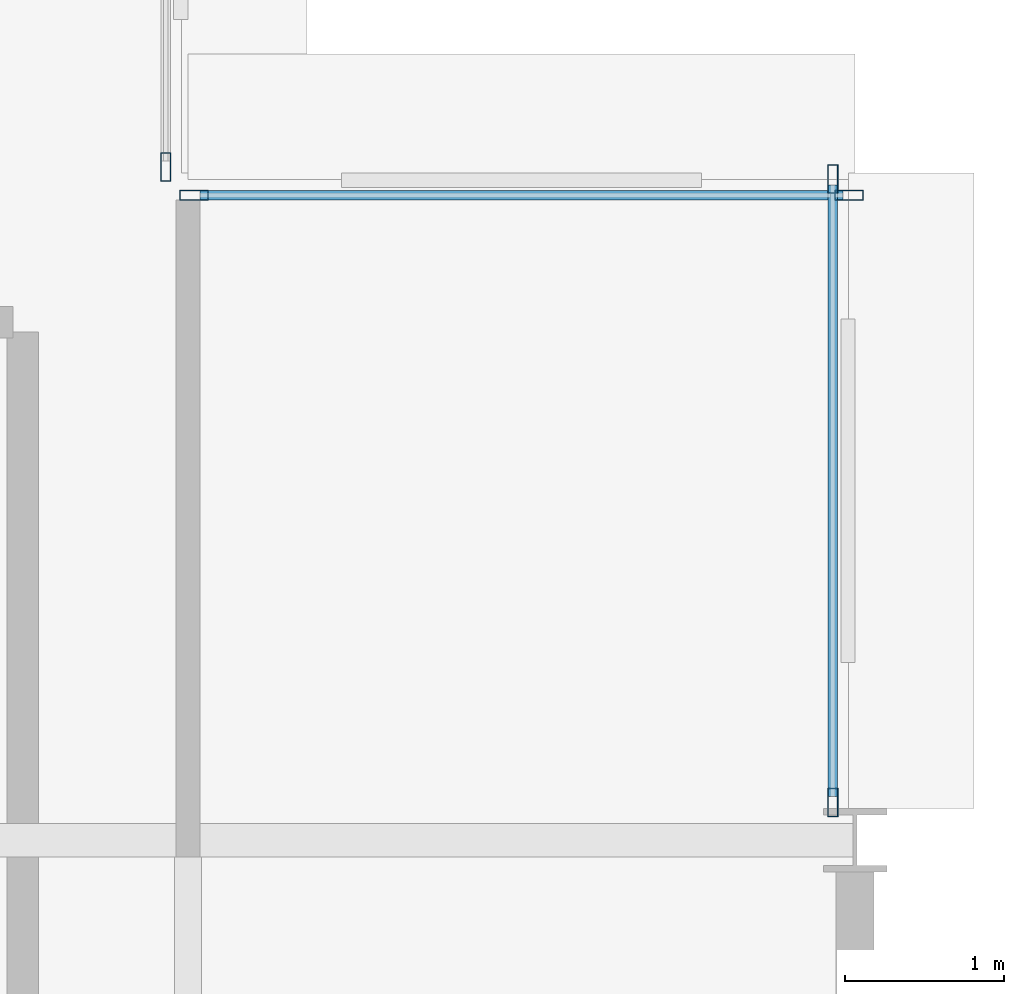
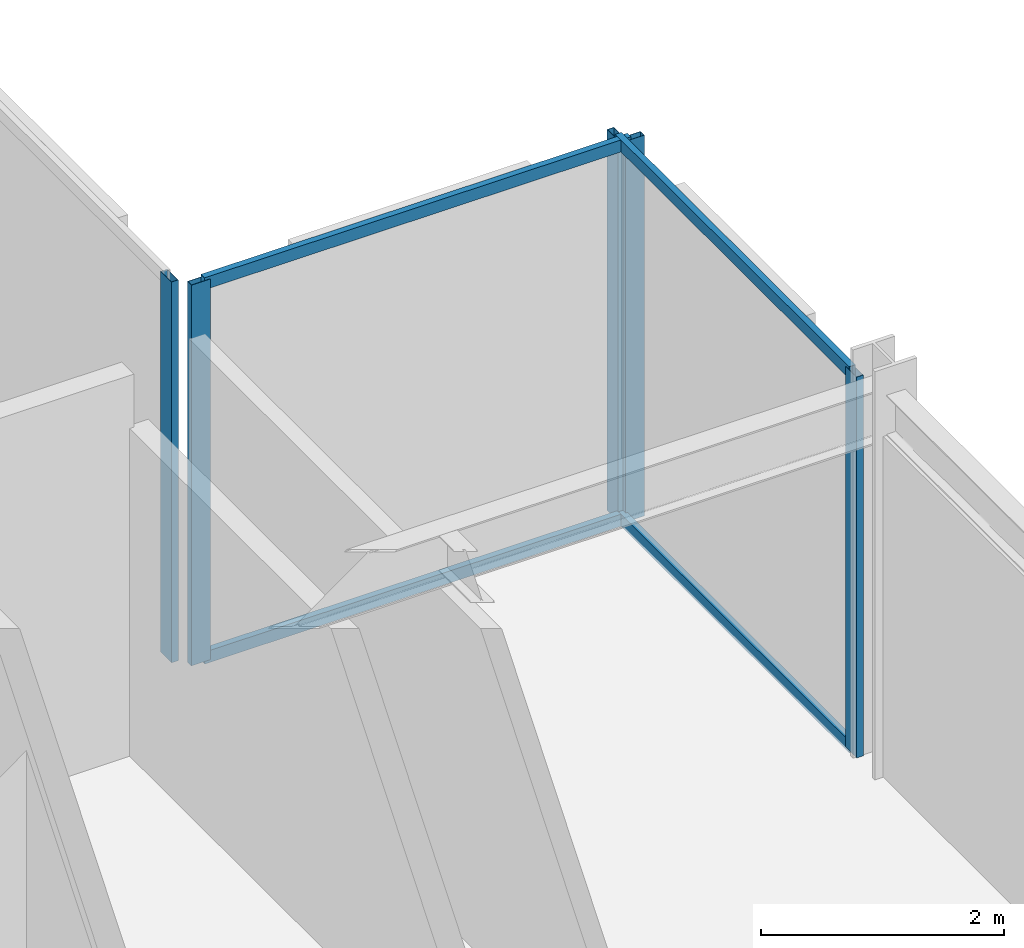
# One storey, part 20 of 30: 9 members, 3 elements without a shape of their own.
"""IFC4 building model written with IfcOpenShell, lengths in metres."""

from ifc_helpers import new_model, si_unit, direction, frame, origin, origin_2d, place, context, subcontext, project, spatial, hollow_rectangle, extrude, material, layer, layer_set, material_profile, profile_set, type_object, element, aggregate, save


model = new_model("IFC4")

# Units and contexts
model_context = context("Model", 3, precision=1e-05, world=origin(), true_north=direction((0.0, 1.0)))
body_context = subcontext(model_context, "Body", "Model", "MODEL_VIEW")
ifc_project = project(units=[si_unit("LENGTHUNIT", "METRE"), si_unit("AREAUNIT", "SQUARE_METRE"), si_unit("VOLUMEUNIT", "CUBIC_METRE"), si_unit("PLANEANGLEUNIT", "RADIAN"), si_unit("MASSUNIT", "GRAM", prefix="KILO")], contexts=[model_context])

# Site, building, storey
site_placement = place(None, origin())
site = spatial("IfcSite", under=ifc_project, at=site_placement, CompositionType="ELEMENT")
building_placement = place(site_placement, origin())
building = spatial("IfcBuilding", under=site, at=building_placement, Name="Nerrivon Quay Data Exchange", CompositionType="ELEMENT")
storey_placement = place(building_placement, frame((0.0, 0.0, 117.199951171875)))
storey = spatial("IfcBuildingStorey", under=building, at=storey_placement, Name="L27", CompositionType="ELEMENT", Elevation=117.199951171875)

# Curtain wall, member
ifc_material = material(Name="Anodised aluminium 6063-T6", Category="aluminium")
ifc_layer = layer(ifc_material, 0.2099609375)
ifc_layer_set = layer_set([ifc_layer], Name="Anodised aluminium 6063-T6")
curtain_wall_type = type_object("IfcCurtainWallType", Name="CW-SYS-02", PredefinedType="NOTDEFINED", material=ifc_layer_set)
curtain_wall_1_placement = place(storey_placement, origin())
curtain_wall_1 = element("IfcCurtainWall", 1, at=curtain_wall_1_placement, inside=storey, type_object=curtain_wall_type, Name="L27 Unitised Curtain Wall 21", PredefinedType="NOTDEFINED")
ifc_material_profile_1 = material_profile(ifc_material, hollow_rectangle(XDim=0.06494140625, YDim=0.179931640625, WallThickness=0.00341796875, at=origin_2d()), Name="ALU-MULL-180x65")
ifc_profile_set_1 = profile_set([ifc_material_profile_1], Name="Anodised aluminium 6063-T6")
member_type_1 = type_object("IfcMemberType", Name="CWM-180x65", PredefinedType="MULLION", material=ifc_profile_set_1)
member_1_placement = place(storey_placement, frame((20.860107421875, 46.237548828125, 0.0), z_axis=(0.0, 0.0, 1.0), x_axis=(1.0, 0.0, 0.0)))
member_1 = element("IfcMember", 2, at=member_1_placement, type_object=member_type_1, Name="CW02 mullion 2", PredefinedType="MULLION", context=body_context, shape_type="SweptSolid", body=[
    extrude(hollow_rectangle(XDim=0.06494140625, YDim=0.179931640625, WallThickness=0.00341796875, at=origin_2d()), origin(), (0.0, 0.0, 1.0), 3.824951171875),
])
aggregate(curtain_wall_1, [member_1])

# Curtain wall, members
curtain_wall_2_placement = place(storey_placement, origin())
curtain_wall_2 = element("IfcCurtainWall", 3, at=curtain_wall_2_placement, inside=storey, type_object=curtain_wall_type, Name="L27 Unitised Curtain Wall 22", PredefinedType="NOTDEFINED")
member_2_placement = place(storey_placement, frame((21.03759765625, 46.06005859375, 0.0), z_axis=(0.0, 0.0, 1.0), x_axis=(0.0, 1.0, 0.0)))
member_2 = element("IfcMember", 4, at=member_2_placement, type_object=member_type_1, Name="CW02 mullion 1", PredefinedType="MULLION", context=body_context, shape_type="SweptSolid", body=[
    extrude(hollow_rectangle(XDim=0.06494140625, YDim=0.179931640625, WallThickness=0.00341796875, at=origin_2d()), origin(), (0.0, 0.0, 1.0), 3.824951171875),
])
member_3_placement = place(storey_placement, frame((25.16259765625, 46.06005859375, 0.0), z_axis=(0.0, 0.0, 1.0), x_axis=(0.0, 1.0, 0.0)))
member_3 = element("IfcMember", 5, at=member_3_placement, type_object=member_type_1, Name="CW02 mullion 2", PredefinedType="MULLION", context=body_context, shape_type="SweptSolid", body=[
    extrude(hollow_rectangle(XDim=0.06494140625, YDim=0.179931640625, WallThickness=0.00341796875, at=origin_2d()), origin(), (0.0, 0.0, 1.0), 3.824951171875),
])

curtain_wall_3_placement = place(storey_placement, origin())
curtain_wall_3 = element("IfcCurtainWall", 6, at=curtain_wall_3_placement, inside=storey, type_object=curtain_wall_type, Name="L27 Unitised Curtain Wall 23", PredefinedType="NOTDEFINED")
member_4_placement = place(storey_placement, frame((25.06005859375, 46.16259765625, 0.0), z_axis=(0.0, 0.0, 1.0), x_axis=(1.0, 0.0, 0.0)))
member_4 = element("IfcMember", 7, at=member_4_placement, type_object=member_type_1, Name="CW02 mullion 1", PredefinedType="MULLION", context=body_context, shape_type="SweptSolid", body=[
    extrude(hollow_rectangle(XDim=0.06494140625, YDim=0.179931640625, WallThickness=0.00341796875, at=origin_2d()), origin(), (0.0, 0.0, 1.0), 3.824951171875),
])
member_5_placement = place(storey_placement, frame((25.06005859375, 42.237548828125, 0.0), z_axis=(0.0, 0.0, 1.0), x_axis=(1.0, 0.0, 0.0)))
member_5 = element("IfcMember", 8, at=member_5_placement, type_object=member_type_1, Name="CW02 mullion 2", PredefinedType="MULLION", context=body_context, shape_type="SweptSolid", body=[
    extrude(hollow_rectangle(XDim=0.06494140625, YDim=0.179931640625, WallThickness=0.00341796875, at=origin_2d()), origin(), (0.0, 0.0, 1.0), 3.824951171875),
])

# Member
ifc_material_profile_2 = material_profile(ifc_material, hollow_rectangle(XDim=0.06005859375, YDim=0.1201171875, WallThickness=0.003173828125, at=origin_2d()), Name="ALU-TRAN-120x60")
ifc_profile_set_2 = profile_set([ifc_material_profile_2], Name="Anodised aluminium 6063-T6")
member_type_2 = type_object("IfcMemberType", Name="CWT-120x60", PredefinedType="USERDEFINED", material=ifc_profile_set_2)
member_6_placement = place(storey_placement, frame((21.074951171875, 46.06005859375, 0.032470703125), z_axis=(1.0, 0.0, 0.0), x_axis=(0.0, 1.0, 0.0)))
member_6 = element("IfcMember", 9, at=member_6_placement, type_object=member_type_2, Name="CW02 transom 1.1", ObjectType="TRANSOM", PredefinedType="USERDEFINED", context=body_context, shape_type="SweptSolid", body=[
    extrude(hollow_rectangle(XDim=0.06005859375, YDim=0.1201171875, WallThickness=0.003173828125, at=origin_2d()), origin(), (0.0, 0.0, 1.0), 4.050048828125),
])

member_7_placement = place(storey_placement, frame((21.074951171875, 46.06005859375, 3.79248046875), z_axis=(1.0, 0.0, 0.0), x_axis=(0.0, 1.0, 0.0)))
member_7 = element("IfcMember", 10, at=member_7_placement, type_object=member_type_2, Name="CW02 transom 1.2", ObjectType="TRANSOM", PredefinedType="USERDEFINED", context=body_context, shape_type="SweptSolid", body=[
    extrude(hollow_rectangle(XDim=0.06005859375, YDim=0.1201171875, WallThickness=0.003173828125, at=origin_2d()), origin(), (0.0, 0.0, 1.0), 4.050048828125),
])

aggregate(curtain_wall_2, [member_2, member_3, member_6, member_7])

member_8_placement = place(storey_placement, frame((25.06005859375, 46.125, 0.032470703125), z_axis=(0.0, -1.0, 0.0), x_axis=(1.0, 0.0, 0.0)))
member_8 = element("IfcMember", 11, at=member_8_placement, type_object=member_type_2, Name="CW02 transom 1.1", ObjectType="TRANSOM", PredefinedType="USERDEFINED", context=body_context, shape_type="SweptSolid", body=[
    extrude(hollow_rectangle(XDim=0.06005859375, YDim=0.1201171875, WallThickness=0.003173828125, at=origin_2d()), origin(), (0.0, 0.0, 1.0), 3.85009765625),
])

member_9_placement = place(storey_placement, frame((25.06005859375, 46.125, 3.79248046875), z_axis=(0.0, -1.0, 0.0), x_axis=(1.0, 0.0, 0.0)))
member_9 = element("IfcMember", 12, at=member_9_placement, type_object=member_type_2, Name="CW02 transom 1.2", ObjectType="TRANSOM", PredefinedType="USERDEFINED", context=body_context, shape_type="SweptSolid", body=[
    extrude(hollow_rectangle(XDim=0.06005859375, YDim=0.1201171875, WallThickness=0.003173828125, at=origin_2d()), origin(), (0.0, 0.0, 1.0), 3.85009765625),
])

aggregate(curtain_wall_3, [member_4, member_5, member_8, member_9])

save(model, "model.ifc")
